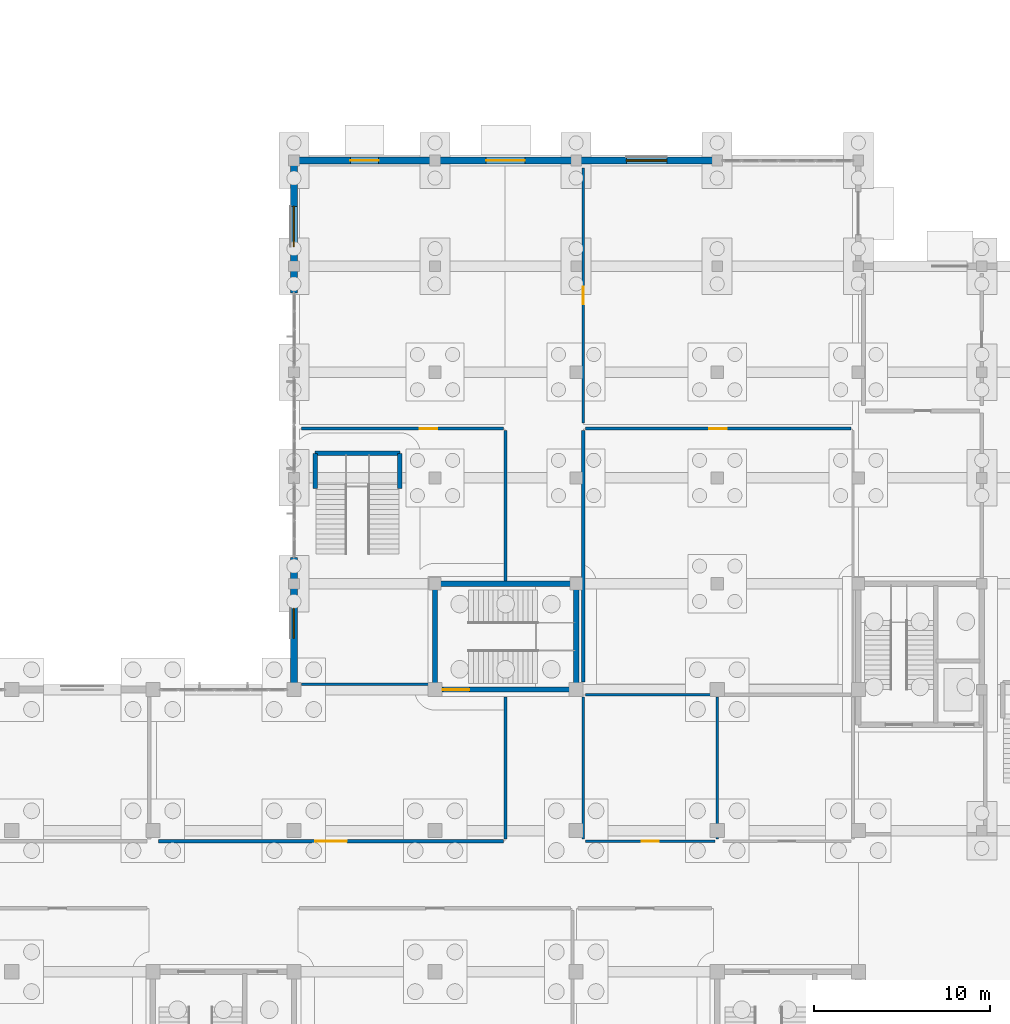
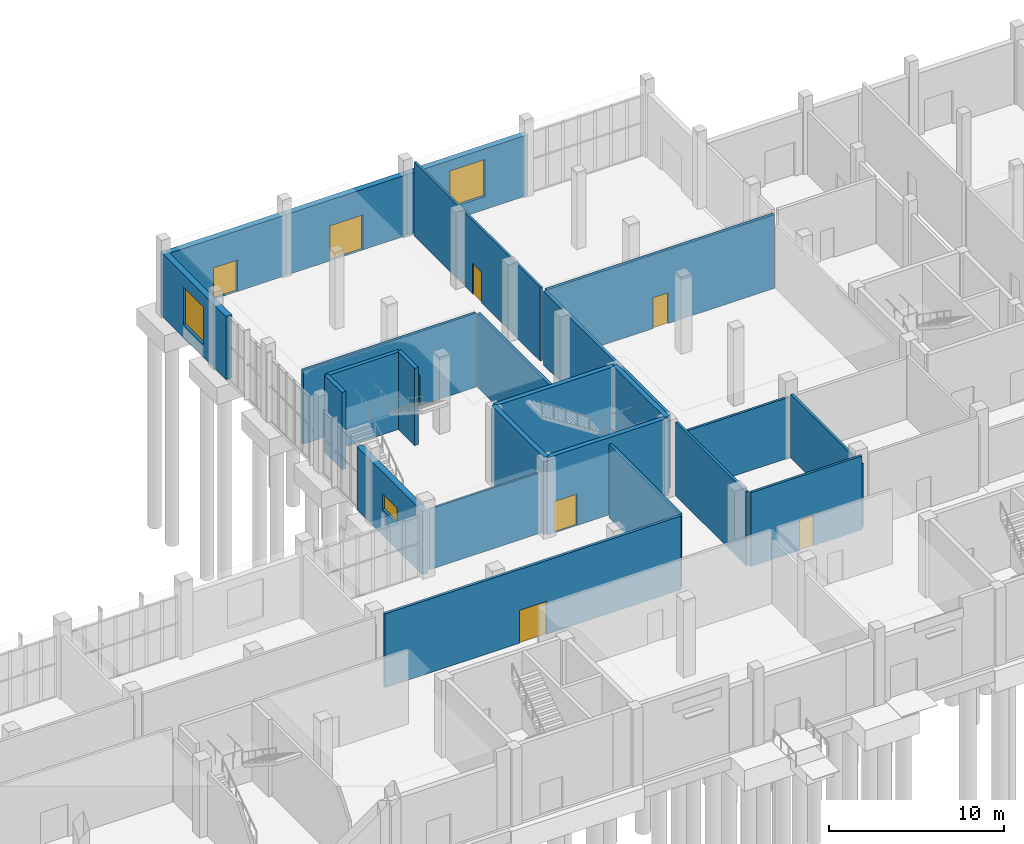
# One storey, part 46 of 69: 24 walls, 8 doors, 3 windows, 11 openings.
"""IFC4 building model written with IfcOpenShell, lengths in metres."""

from ifc_helpers import new_model, si_unit, direction, frame, frame_2d, origin, place, context, subcontext, project, spatial, rectangle, extrude, material, layer, layer_set, type_object, element, fill, save


model = new_model("IFC4")

# Units and contexts
model_context = context("Model", 3, precision=1e-05, world=origin(), true_north=direction((0.0, 1.0)))
body_context = subcontext(model_context, "Body", "Model", "MODEL_VIEW")
ifc_project = project(units=[si_unit("LENGTHUNIT", "METRE"), si_unit("AREAUNIT", "SQUARE_METRE"), si_unit("VOLUMEUNIT", "CUBIC_METRE"), si_unit("PLANEANGLEUNIT", "RADIAN"), si_unit("MASSUNIT", "GRAM", prefix="KILO")], contexts=[model_context])

# Site, building, storey
site_placement = place(None, origin())
site = spatial("IfcSite", under=ifc_project, at=site_placement, CompositionType="ELEMENT")
building_placement = place(site_placement, origin())
building = spatial("IfcBuilding", under=site, at=building_placement, Name="Solvane Community Centre", CompositionType="ELEMENT")
storey_placement = place(building_placement, origin())
storey = spatial("IfcBuildingStorey", under=building, at=storey_placement, Name="L00", CompositionType="ELEMENT", Elevation=0.0)

# Wall
ifc_material_1 = material(Name="Gypsum board partition")
ifc_layer_1 = layer(ifc_material_1, 0.1298828125)
ifc_layer_set_1 = layer_set([ifc_layer_1], Name="Gypsum board partition")
wall_type_1 = type_object("IfcWallType", Name="Acoustic Partition 130mm [74x42dm]", PredefinedType="PARTITIONING", material=ifc_layer_set_1)
wall_1_placement = place(storey_placement, frame((108.419921875, 30.300048828125, 0.0), z_axis=(0.0, 0.0, 1.0), x_axis=(1.0, 0.0, 0.0)))
element("IfcWall", 1, at=wall_1_placement, inside=storey, type_object=wall_type_1, Name="Interior Wall WL-INT-L00-0201", PredefinedType="PARTITIONING", context=body_context, shape_type="SweptSolid", body=[
    extrude(rectangle(XDim=7.420166015625, YDim=0.1298828125, at=frame_2d((3.7099609375, 0.0))), origin(), (0.0, 0.0, 1.0), 4.2451171875),
])

# Wall, opening, door
ifc_layer_2 = layer(ifc_material_1, 0.14990234375)
ifc_layer_set_2 = layer_set([ifc_layer_2], Name="Gypsum board partition")
wall_type_2 = type_object("IfcWallType", Name="Acoustic Partition 150mm [145x52dm]", PredefinedType="PARTITIONING", material=ifc_layer_set_2)
wall_2_placement = place(storey_placement, frame((124.39990234375, 59.580078125, 0.0), z_axis=(0.0, 0.0, 1.0), x_axis=(0.0, -1.0, 0.0)))
wall_2 = element("IfcWall", 2, at=wall_2_placement, inside=storey, type_object=wall_type_2, Name="Interior Wall WL-INT-L00-0207", PredefinedType="PARTITIONING", context=body_context, shape_type="SweptSolid", body=[
    extrude(rectangle(XDim=14.4599609375, YDim=0.14990234375, at=frame_2d((7.22998046875, 0.0))), origin(), (0.0, 0.0, 1.0), 5.159912109375),
])
opening_1_placement = place(wall_2_placement, frame((6.72998046875, 0.0, 0.0)))
opening_1 = element("IfcOpeningElement", 3, at=opening_1_placement, cuts=wall_2, Name="Opening ID01", PredefinedType="OPENING", context=body_context, shape_type="SweptSolid", body=[
    extrude(rectangle(XDim=1.0, YDim=2.14990234375, at=frame_2d((0.5, 1.074951171875))), frame((0.0, 0.0849609375, 0.0), z_axis=(0.0, -1.0, 0.0), x_axis=(1.0, 0.0, 0.0)), (0.0, 0.0, 1.0), 0.169921875),
])
ifc_material_2 = material(Name="Anodised bronze aluminium AW-6063 T6", Category="aluminium")
door_type_1 = type_object("IfcDoorType", Name="Corridor Rated Classroom Door 1000x2150", OperationType="NOTDEFINED", PredefinedType="DOOR", material=ifc_material_2)
door_1_placement = place(opening_1_placement, origin())
door_1 = element("IfcDoor", 4, at=door_1_placement, inside=storey, type_object=door_type_1, Name="L00-D070", OperationType="SINGLE_SWING_RIGHT", OverallHeight=2.14990234375, OverallWidth=1.0, PredefinedType="DOOR", context=body_context, shape_type="SweptSolid", body=[
    extrude(rectangle(XDim=1.0, YDim=2.14990234375, at=frame_2d((0.5, 1.074951171875))), frame((0.0, 0.02490234375, 0.0), z_axis=(0.0, -1.0, 0.0), x_axis=(1.0, 0.0, 0.0)), (0.0, 0.0, 1.0), 0.050048828125),
])
fill(opening_1, door_1)

# Wall
ifc_layer_3 = layer(ifc_material_1, 0.14990234375)
ifc_layer_set_3 = layer_set([ifc_layer_3], Name="Gypsum board partition")
wall_type_3 = type_object("IfcWallType", Name="Acoustic Partition 150mm [74x42dm]", PredefinedType="PARTITIONING", material=ifc_layer_set_3)
wall_3_placement = place(storey_placement, frame((131.8798828125, 29.699951171875, 0.0), z_axis=(0.0, 0.0, 1.0), x_axis=(-1.0, 0.0, 0.0)))
element("IfcWall", 5, at=wall_3_placement, inside=storey, type_object=wall_type_3, Name="Interior Wall WL-INT-L00-0197", PredefinedType="PARTITIONING", context=body_context, shape_type="SweptSolid", body=[
    extrude(rectangle(XDim=7.35986328125, YDim=0.14990234375, at=frame_2d((3.679931640625, 0.0))), origin(), (0.0, 0.0, 1.0), 4.2451171875),
])

# Wall, opening, door
ifc_layer_4 = layer(ifc_material_1, 0.18994140625)
ifc_layer_set_4 = layer_set([ifc_layer_4], Name="Gypsum board partition")
wall_type_4 = type_object("IfcWallType", Name="Acoustic Partition 190mm [151x52dm]", PredefinedType="PARTITIONING", material=ifc_layer_set_4)
wall_4_placement = place(storey_placement, frame((139.580078125, 44.800048828125, 0.0), z_axis=(0.0, 0.0, 1.0), x_axis=(-1.0, 0.0, 0.0)))
wall_4 = element("IfcWall", 6, at=wall_4_placement, inside=storey, type_object=wall_type_4, Name="Interior Wall WL-INT-L00-0204", PredefinedType="PARTITIONING", context=body_context, shape_type="SweptSolid", body=[
    extrude(rectangle(XDim=15.06005859375, YDim=0.18994140625, at=frame_2d((7.530029296875, 0.0))), origin(), (0.0, 0.0, 1.0), 5.159912109375),
])
opening_2_placement = place(wall_4_placement, frame((7.030029296875, 0.0, 0.0)))
opening_2 = element("IfcOpeningElement", 7, at=opening_2_placement, cuts=wall_4, Name="Opening ID01", PredefinedType="OPENING", context=body_context, shape_type="SweptSolid", body=[
    extrude(rectangle(XDim=1.0, YDim=2.14990234375, at=frame_2d((0.5, 1.074951171875))), frame((0.0, 0.10498046875, 0.0), z_axis=(0.0, -1.0, 0.0), x_axis=(1.0, 0.0, 0.0)), (0.0, 0.0, 1.0), 0.2099609375),
])
door_2_placement = place(opening_2_placement, origin())
door_2 = element("IfcDoor", 8, at=door_2_placement, inside=storey, type_object=door_type_1, Name="L00-D069", OperationType="SINGLE_SWING_LEFT", OverallHeight=2.14990234375, OverallWidth=1.0, PredefinedType="DOOR", context=body_context, shape_type="SweptSolid", body=[
    extrude(rectangle(XDim=1.0, YDim=2.14990234375, at=frame_2d((0.5, 1.074951171875))), frame((0.0, 0.02490234375, 0.0), z_axis=(0.0, -1.0, 0.0), x_axis=(1.0, 0.0, 0.0)), (0.0, 0.0, 1.0), 0.050048828125),
])
fill(opening_2, door_2)

# Wall
ifc_layer_5 = layer(ifc_material_1, 0.2099609375)
ifc_layer_set_5 = layer_set([ifc_layer_5], Name="Gypsum board partition")
wall_type_5 = type_object("IfcWallType", Name="Acoustic Partition 210mm [143x52dm]", PredefinedType="PARTITIONING", material=ifc_layer_set_5)
wall_5_placement = place(storey_placement, frame((124.39990234375, 44.679931640625, 0.0), z_axis=(0.0, 0.0, 1.0), x_axis=(0.0, -1.0, 0.0)))
element("IfcWall", 9, at=wall_5_placement, inside=storey, type_object=wall_type_5, Name="Interior Wall WL-INT-L00-0205", PredefinedType="PARTITIONING", context=body_context, shape_type="SweptSolid", body=[
    extrude(rectangle(XDim=14.260009765625, YDim=0.2099609375, at=frame_2d((7.1298828125, 0.0))), origin(), (0.0, 0.0, 1.0), 5.159912109375),
])

# Wall, opening, window
ifc_material_3 = material(Name="Terracotta clay masonry", Category="masonry")
ifc_layer_6 = layer(ifc_material_3, 0.3798828125)
ifc_layer_set_6 = layer_set([ifc_layer_6], Name="Terracotta clay masonry")
wall_type_6 = type_object("IfcWallType", Name="Art Deco Terracotta Plinth Wall 380mm [75x44dm]", PredefinedType="SOLIDWALL", material=ifc_layer_set_6)
wall_6_placement = place(storey_placement, frame((108.0, 30.0, 0.0), z_axis=(0.0, 0.0, 1.0), x_axis=(0.0, 1.0, 0.0)))
wall_6 = element("IfcWall", 10, at=wall_6_placement, inside=storey, type_object=wall_type_6, Name="Exterior Wall WL-EXT-L00-0045", PredefinedType="SOLIDWALL", context=body_context, shape_type="SweptSolid", body=[
    extrude(rectangle(XDim=7.5, YDim=0.3798828125, at=frame_2d((3.75, 0.0))), origin(), (0.0, 0.0, 1.0), 4.425048828125),
])
opening_3_placement = place(wall_6_placement, frame((2.89990234375, 0.0, 1.800048828125)))
opening_3 = element("IfcOpeningElement", 11, at=opening_3_placement, cuts=wall_6, Name="Opening WN17", PredefinedType="OPENING", context=body_context, shape_type="SweptSolid", body=[
    extrude(rectangle(XDim=1.699951171875, YDim=1.10009765625, at=frame_2d((0.85009765625, 0.550048828125))), frame((0.0, 0.199951171875, 0.0), z_axis=(0.0, -1.0, 0.0), x_axis=(1.0, 0.0, 0.0)), (0.0, 0.0, 1.0), 0.39990234375),
])
ifc_material_4 = material(Name="Tempered low-E double glazing", Category="glass")
window_type_1 = type_object("IfcWindowType", Name="Kitchen High Clerestory 1700x1100", PartitioningType="SINGLE_PANEL", PredefinedType="WINDOW", material=ifc_material_4)
window_1_placement = place(opening_3_placement, origin())
window_1 = element("IfcWindow", 12, at=window_1_placement, inside=storey, type_object=window_type_1, Name="L00-W018", OverallHeight=1.10009765625, OverallWidth=1.699951171875, PartitioningType="SINGLE_PANEL", PredefinedType="WINDOW", context=body_context, shape_type="SweptSolid", body=[
    extrude(rectangle(XDim=1.699951171875, YDim=1.10009765625, at=frame_2d((0.85009765625, 0.550048828125))), frame((0.0, 0.030029296875, 0.0), z_axis=(0.0, -1.0, 0.0), x_axis=(1.0, 0.0, 0.0)), (0.0, 0.0, 1.0), 0.06005859375),
])
fill(opening_3, window_1)

wall_7_placement = place(storey_placement, frame((108.0, 52.5, 0.0), z_axis=(0.0, 0.0, 1.0), x_axis=(0.0, 1.0, 0.0)))
wall_7 = element("IfcWall", 13, at=wall_7_placement, inside=storey, type_object=wall_type_6, Name="Exterior Wall WL-EXT-L00-0046", PredefinedType="SOLIDWALL", context=body_context, shape_type="SweptSolid", body=[
    extrude(rectangle(XDim=7.5, YDim=0.3798828125, at=frame_2d((3.75, 0.0))), origin(), (0.0, 0.0, 1.0), 4.425048828125),
])
opening_4_placement = place(wall_7_placement, frame((2.60009765625, 0.0, 0.89990234375)))
opening_4 = element("IfcOpeningElement", 14, at=opening_4_placement, cuts=wall_7, Name="Opening WN12", PredefinedType="OPENING", context=body_context, shape_type="SweptSolid", body=[
    extrude(rectangle(XDim=2.300048828125, YDim=2.60009765625, at=frame_2d((1.14990234375, 1.300048828125))), frame((0.0, 0.199951171875, 0.0), z_axis=(0.0, -1.0, 0.0), x_axis=(1.0, 0.0, 0.0)), (0.0, 0.0, 1.0), 0.39990234375),
])
window_type_2 = type_object("IfcWindowType", Name="Dining Loggia Tall Window 2300x2600", PartitioningType="DOUBLE_PANEL_VERTICAL", PredefinedType="WINDOW", material=ifc_material_4)
window_2_placement = place(opening_4_placement, origin())
window_2 = element("IfcWindow", 15, at=window_2_placement, inside=storey, type_object=window_type_2, Name="L00-W019", OverallHeight=2.60009765625, OverallWidth=2.300048828125, PartitioningType="DOUBLE_PANEL_VERTICAL", PredefinedType="WINDOW", context=body_context, shape_type="SweptSolid", body=[
    extrude(rectangle(XDim=2.300048828125, YDim=2.60009765625, at=frame_2d((1.14990234375, 1.300048828125))), frame((0.0, 0.030029296875, 0.0), z_axis=(0.0, -1.0, 0.0), x_axis=(1.0, 0.0, 0.0)), (0.0, 0.0, 1.0), 0.06005859375),
])
fill(opening_4, window_2)

# Wall, opening, door
ifc_layer_7 = layer(ifc_material_3, 0.3798828125)
ifc_layer_set_7 = layer_set([ifc_layer_7], Name="Terracotta clay masonry")
wall_type_7 = type_object("IfcWallType", Name="Art Deco Terracotta Plinth Wall 380mm [80x42dm]", PredefinedType="SOLIDWALL", material=ifc_layer_set_7)
wall_8_placement = place(storey_placement, frame((108.0, 60.0, 0.0), z_axis=(0.0, 0.0, 1.0), x_axis=(1.0, 0.0, 0.0)))
wall_8 = element("IfcWall", 16, at=wall_8_placement, inside=storey, type_object=wall_type_7, Name="Exterior Wall WL-EXT-L00-0047", PredefinedType="SOLIDWALL", context=body_context, shape_type="SweptSolid", body=[
    extrude(rectangle(XDim=8.0, YDim=0.3798828125, at=frame_2d((4.0, 0.0))), origin(), (0.0, 0.0, 1.0), 4.2451171875),
])
opening_5_placement = place(wall_8_placement, frame((3.199951171875, 0.0, 0.0)))
opening_5 = element("IfcOpeningElement", 17, at=opening_5_placement, cuts=wall_8, Name="Opening D03", PredefinedType="OPENING", context=body_context, shape_type="SweptSolid", body=[
    extrude(rectangle(XDim=1.60009765625, YDim=2.199951171875, at=frame_2d((0.800048828125, 1.10009765625))), frame((0.0, 0.199951171875, 0.0), z_axis=(0.0, -1.0, 0.0), x_axis=(1.0, 0.0, 0.0)), (0.0, 0.0, 1.0), 0.39990234375),
])
door_type_2 = type_object("IfcDoorType", Name="Secondary Courtyard Exit Pair 1600x2200", OperationType="NOTDEFINED", PredefinedType="DOOR", material=ifc_material_2)
door_3_placement = place(opening_5_placement, origin())
door_3 = element("IfcDoor", 18, at=door_3_placement, inside=storey, type_object=door_type_2, Name="L00-ED18", OperationType="DOUBLE_DOOR_SINGLE_SWING", OverallHeight=2.199951171875, OverallWidth=1.60009765625, PredefinedType="DOOR", context=body_context, shape_type="SweptSolid", body=[
    extrude(rectangle(XDim=1.60009765625, YDim=2.199951171875, at=frame_2d((0.800048828125, 1.10009765625))), frame((0.0, 0.02490234375, 0.0), z_axis=(0.0, -1.0, 0.0), x_axis=(1.0, 0.0, 0.0)), (0.0, 0.0, 1.0), 0.050048828125),
])
fill(opening_5, door_3)

wall_9_placement = place(storey_placement, frame((116.0, 60.0, 0.0), z_axis=(0.0, 0.0, 1.0), x_axis=(1.0, 0.0, 0.0)))
wall_9 = element("IfcWall", 19, at=wall_9_placement, inside=storey, type_object=wall_type_7, Name="Exterior Wall WL-EXT-L00-0048", PredefinedType="SOLIDWALL", context=body_context, shape_type="SweptSolid", body=[
    extrude(rectangle(XDim=8.0, YDim=0.3798828125, at=frame_2d((4.0, 0.0))), origin(), (0.0, 0.0, 1.0), 4.2451171875),
])
opening_6_placement = place(wall_9_placement, frame((2.89990234375, 0.0, 0.0)))
opening_6 = element("IfcOpeningElement", 20, at=opening_6_placement, cuts=wall_9, Name="Opening D05", PredefinedType="OPENING", context=body_context, shape_type="SweptSolid", body=[
    extrude(rectangle(XDim=2.199951171875, YDim=2.449951171875, at=frame_2d((1.10009765625, 1.22509765625))), frame((0.0, 0.199951171875, 0.0), z_axis=(0.0, -1.0, 0.0), x_axis=(1.0, 0.0, 0.0)), (0.0, 0.0, 1.0), 0.39990234375),
])
door_type_3 = type_object("IfcDoorType", Name="Boulevard Cafe Entrance Pair 2200x2450", OperationType="NOTDEFINED", PredefinedType="DOOR", material=ifc_material_2)
door_4_placement = place(opening_6_placement, origin())
door_4 = element("IfcDoor", 21, at=door_4_placement, inside=storey, type_object=door_type_3, Name="L00-ED19", OperationType="DOUBLE_DOOR_SINGLE_SWING", OverallHeight=2.449951171875, OverallWidth=2.199951171875, PredefinedType="DOOR", context=body_context, shape_type="SweptSolid", body=[
    extrude(rectangle(XDim=2.199951171875, YDim=2.449951171875, at=frame_2d((1.10009765625, 1.22509765625))), frame((0.0, 0.02490234375, 0.0), z_axis=(0.0, -1.0, 0.0), x_axis=(1.0, 0.0, 0.0)), (0.0, 0.0, 1.0), 0.050048828125),
])
fill(opening_6, door_4)

# Wall, opening, window
wall_10_placement = place(storey_placement, frame((124.0, 60.0, 0.0), z_axis=(0.0, 0.0, 1.0), x_axis=(1.0, 0.0, 0.0)))
wall_10 = element("IfcWall", 22, at=wall_10_placement, inside=storey, type_object=wall_type_7, Name="Exterior Wall WL-EXT-L00-0049", PredefinedType="SOLIDWALL", context=body_context, shape_type="SweptSolid", body=[
    extrude(rectangle(XDim=8.0, YDim=0.3798828125, at=frame_2d((4.0, 0.0))), origin(), (0.0, 0.0, 1.0), 4.2451171875),
])
opening_7_placement = place(wall_10_placement, frame((2.85009765625, 0.0, 0.89990234375)))
opening_7 = element("IfcOpeningElement", 23, at=opening_7_placement, cuts=wall_10, Name="Opening WN12", PredefinedType="OPENING", context=body_context, shape_type="SweptSolid", body=[
    extrude(rectangle(XDim=2.300048828125, YDim=2.60009765625, at=frame_2d((1.14990234375, 1.300048828125))), frame((0.0, 0.199951171875, 0.0), z_axis=(0.0, -1.0, 0.0), x_axis=(1.0, 0.0, 0.0)), (0.0, 0.0, 1.0), 0.39990234375),
])
window_3_placement = place(opening_7_placement, origin())
window_3 = element("IfcWindow", 24, at=window_3_placement, inside=storey, type_object=window_type_2, Name="L00-W020", OverallHeight=2.60009765625, OverallWidth=2.300048828125, PartitioningType="DOUBLE_PANEL_VERTICAL", PredefinedType="WINDOW", context=body_context, shape_type="SweptSolid", body=[
    extrude(rectangle(XDim=2.300048828125, YDim=2.60009765625, at=frame_2d((1.14990234375, 1.300048828125))), frame((0.0, 0.030029296875, 0.0), z_axis=(0.0, -1.0, 0.0), x_axis=(1.0, 0.0, 0.0)), (0.0, 0.0, 1.0), 0.06005859375),
])
fill(opening_7, window_3)

# Wall, opening, door
ifc_layer_8 = layer(ifc_material_1, 0.179931640625)
ifc_layer_set_8 = layer_set([ifc_layer_8], Name="Gypsum board partition")
wall_type_8 = type_object("IfcWallType", Name="Protected Corridor Wall 180mm [115x52dm]", PredefinedType="PARTITIONING", material=ifc_layer_set_8)
wall_11_placement = place(storey_placement, frame((119.8798828125, 44.800048828125, 0.0), z_axis=(0.0, 0.0, 1.0), x_axis=(-1.0, 0.0, 0.0)))
wall_11 = element("IfcWall", 25, at=wall_11_placement, inside=storey, type_object=wall_type_8, Name="Interior Wall WL-INT-L00-0202", PredefinedType="PARTITIONING", context=body_context, shape_type="SweptSolid", body=[
    extrude(rectangle(XDim=11.4599609375, YDim=0.179931640625, at=frame_2d((5.72998046875, 0.0))), origin(), (0.0, 0.0, 1.0), 5.159912109375),
])
opening_8_placement = place(wall_11_placement, frame((3.7509765625, 0.0, 0.0)))
opening_8 = element("IfcOpeningElement", 26, at=opening_8_placement, cuts=wall_11, Name="Opening ID01", PredefinedType="OPENING", context=body_context, shape_type="SweptSolid", body=[
    extrude(rectangle(XDim=1.0, YDim=2.14990234375, at=frame_2d((0.5, 1.074951171875))), frame((0.0, 0.099853515625, 0.0), z_axis=(0.0, -1.0, 0.0), x_axis=(1.0, 0.0, 0.0)), (0.0, 0.0, 1.0), 0.199951171875),
])
door_5_placement = place(opening_8_placement, origin())
door_5 = element("IfcDoor", 27, at=door_5_placement, inside=storey, type_object=door_type_1, Name="L00-D068", OperationType="SINGLE_SWING_RIGHT", OverallHeight=2.14990234375, OverallWidth=1.0, PredefinedType="DOOR", context=body_context, shape_type="SweptSolid", body=[
    extrude(rectangle(XDim=1.0, YDim=2.14990234375, at=frame_2d((0.5, 1.074951171875))), frame((0.0, 0.02490234375, 0.0), z_axis=(0.0, -1.0, 0.0), x_axis=(1.0, 0.0, 0.0)), (0.0, 0.0, 1.0), 0.050048828125),
])
fill(opening_8, door_5)

ifc_layer_9 = layer(ifc_material_1, 0.179931640625)
ifc_layer_set_9 = layer_set([ifc_layer_9], Name="Gypsum board partition")
wall_type_9 = type_object("IfcWallType", Name="Protected Corridor Wall 180mm [196x52dm]", PredefinedType="PARTITIONING", material=ifc_layer_set_9)
wall_12_placement = place(storey_placement, frame((100.320068359375, 21.39990234375, 0.0), z_axis=(0.0, 0.0, 1.0), x_axis=(1.0, 0.0, 0.0)))
wall_12 = element("IfcWall", 28, at=wall_12_placement, inside=storey, type_object=wall_type_9, Name="Interior Wall WL-INT-L00-0192", PredefinedType="PARTITIONING", context=body_context, shape_type="SweptSolid", body=[
    extrude(rectangle(XDim=19.559814453125, YDim=0.179931640625, at=frame_2d((9.77978515625, 0.0))), origin(), (0.0, 0.0, 1.0), 5.159912109375),
])
opening_9_placement = place(wall_12_placement, frame((8.8798828125, 0.0, 0.0)))
opening_9 = element("IfcOpeningElement", 29, at=opening_9_placement, cuts=wall_12, Name="Opening ID02", PredefinedType="OPENING", context=body_context, shape_type="SweptSolid", body=[
    extrude(rectangle(XDim=1.800048828125, YDim=2.300048828125, at=frame_2d((0.89990234375, 1.14990234375))), frame((0.0, 0.099853515625, 0.0), z_axis=(0.0, -1.0, 0.0), x_axis=(1.0, 0.0, 0.0)), (0.0, 0.0, 1.0), 0.199951171875),
])
door_type_4 = type_object("IfcDoorType", Name="Hall Acoustic Double Door 1800x2300", OperationType="NOTDEFINED", PredefinedType="DOOR", material=ifc_material_2)
door_6_placement = place(opening_9_placement, origin())
door_6 = element("IfcDoor", 30, at=door_6_placement, inside=storey, type_object=door_type_4, Name="L00-D065", OperationType="DOUBLE_DOOR_SINGLE_SWING", OverallHeight=2.300048828125, OverallWidth=1.800048828125, PredefinedType="DOOR", context=body_context, shape_type="SweptSolid", body=[
    extrude(rectangle(XDim=1.800048828125, YDim=2.300048828125, at=frame_2d((0.89990234375, 1.14990234375))), frame((0.0, 0.02490234375, 0.0), z_axis=(0.0, -1.0, 0.0), x_axis=(1.0, 0.0, 0.0)), (0.0, 0.0, 1.0), 0.050048828125),
])
fill(opening_9, door_6)

# Walls
ifc_layer_10 = layer(ifc_material_1, 0.179931640625)
ifc_layer_set_10 = layer_set([ifc_layer_10], Name="Gypsum board partition")
wall_type_10 = type_object("IfcWallType", Name="Protected Corridor Wall 180mm [81x52dm]", PredefinedType="PARTITIONING", material=ifc_layer_set_10)
wall_13_placement = place(storey_placement, frame((120.0, 21.52001953125, 0.0), z_axis=(0.0, 0.0, 1.0), x_axis=(0.0, 1.0, 0.0)))
element("IfcWall", 31, at=wall_13_placement, inside=storey, type_object=wall_type_10, Name="Interior Wall WL-INT-L00-0193", PredefinedType="PARTITIONING", context=body_context, shape_type="SweptSolid", body=[
    extrude(rectangle(XDim=8.06005859375, YDim=0.179931640625, at=frame_2d((4.030029296875, 0.0))), origin(), (0.0, 0.0, 1.0), 5.159912109375),
])
ifc_layer_11 = layer(ifc_material_1, 0.179931640625)
ifc_layer_set_11 = layer_set([ifc_layer_11], Name="Gypsum board partition")
wall_type_11 = type_object("IfcWallType", Name="Protected Corridor Wall 180mm [85x52dm]", PredefinedType="PARTITIONING", material=ifc_layer_set_11)
wall_14_placement = place(storey_placement, frame((120.0, 36.159912109375, 0.0), z_axis=(0.0, 0.0, 1.0), x_axis=(0.0, 1.0, 0.0)))
element("IfcWall", 32, at=wall_14_placement, inside=storey, type_object=wall_type_11, Name="Interior Wall WL-INT-L00-0203", PredefinedType="PARTITIONING", context=body_context, shape_type="SweptSolid", body=[
    extrude(rectangle(XDim=8.52001953125, YDim=0.179931640625, at=frame_2d((4.260009765625, 0.0))), origin(), (0.0, 0.0, 1.0), 5.159912109375),
])
ifc_material_5 = material(Name="Concrete C35/45", Category="concrete")
ifc_layer_12 = layer(ifc_material_5, 0.300048828125)
ifc_layer_set_12 = layer_set([ifc_layer_12], Name="Concrete C35/45")
wall_type_12 = type_object("IfcWallType", Name="RC Core Shear Wall 300mm [60x54dm]", PredefinedType="SHEAR", material=ifc_layer_set_12)
for number, where, z_axis, x_axis, name in (
    (33, (116.0, 30.0, 0.0), (0.0, 0.0, 1.0), (0.0, 1.0, 0.0), "Interior Wall WL-INT-L00-0073"),
    (34, (124.0, 36.0, 0.0), (0.0, 0.0, 1.0), (0.0, -1.0, 0.0), "Interior Wall WL-INT-L00-0075"),
):
    element("IfcWall", number, at=place(storey_placement, frame(where, z_axis=z_axis, x_axis=x_axis)), inside=storey, type_object=wall_type_12, Name=name, PredefinedType="SHEAR", context=body_context, shape_type="SweptSolid", body=[
        extrude(rectangle(XDim=6.0, YDim=0.300048828125, at=frame_2d((3.0, 0.0))), origin(), (0.0, 0.0, 1.0), 5.39990234375),
    ])

# Wall, opening, door
ifc_layer_13 = layer(ifc_material_5, 0.300048828125)
ifc_layer_set_13 = layer_set([ifc_layer_13], Name="Concrete C35/45")
wall_type_13 = type_object("IfcWallType", Name="RC Core Shear Wall 300mm [80x54dm]", PredefinedType="SHEAR", material=ifc_layer_set_13)
wall_15_placement = place(storey_placement, frame((124.0, 30.0, 0.0), z_axis=(0.0, 0.0, 1.0), x_axis=(-1.0, 0.0, 0.0)))
wall_15 = element("IfcWall", 35, at=wall_15_placement, inside=storey, type_object=wall_type_13, Name="Interior Wall WL-INT-L00-0072", PredefinedType="SHEAR", context=body_context, shape_type="SweptSolid", body=[
    extrude(rectangle(XDim=8.0, YDim=0.300048828125, at=frame_2d((4.0, 0.0))), origin(), (0.0, 0.0, 1.0), 5.39990234375),
])
opening_10_placement = place(wall_15_placement, frame((6.050048828125, 0.0, 0.0)))
opening_10 = element("IfcOpeningElement", 36, at=opening_10_placement, cuts=wall_15, Name="Opening SD01", PredefinedType="OPENING", context=body_context, shape_type="SweptSolid", body=[
    extrude(rectangle(XDim=1.5, YDim=2.199951171875, at=frame_2d((0.75, 1.10009765625))), frame((0.0, 0.159912109375, 0.0), z_axis=(0.0, -1.0, 0.0), x_axis=(1.0, 0.0, 0.0)), (0.0, 0.0, 1.0), 0.320068359375),
])
door_type_5 = type_object("IfcDoorType", Name="Stair Discharge Fire Pair 1500x2200", OperationType="NOTDEFINED", PredefinedType="DOOR", material=ifc_material_2)
door_7_placement = place(opening_10_placement, origin())
door_7 = element("IfcDoor", 37, at=door_7_placement, inside=storey, type_object=door_type_5, Name="L00-D028", OperationType="DOUBLE_DOOR_SINGLE_SWING", OverallHeight=2.199951171875, OverallWidth=1.5, PredefinedType="DOOR", context=body_context, shape_type="SweptSolid", body=[
    extrude(rectangle(XDim=1.5, YDim=2.199951171875, at=frame_2d((0.75, 1.10009765625))), frame((0.0, 0.02490234375, 0.0), z_axis=(0.0, -1.0, 0.0), x_axis=(1.0, 0.0, 0.0)), (0.0, 0.0, 1.0), 0.050048828125),
])
fill(opening_10, door_7)

# Walls
wall_16_placement = place(storey_placement, frame((116.0, 36.0, 0.0), z_axis=(0.0, 0.0, 1.0), x_axis=(1.0, 0.0, 0.0)))
element("IfcWall", 38, at=wall_16_placement, inside=storey, type_object=wall_type_13, Name="Interior Wall WL-INT-L00-0074", PredefinedType="SHEAR", context=body_context, shape_type="SweptSolid", body=[
    extrude(rectangle(XDim=8.0, YDim=0.300048828125, at=frame_2d((4.0, 0.0))), origin(), (0.0, 0.0, 1.0), 5.39990234375),
])
ifc_layer_14 = layer(ifc_material_5, 0.25)
ifc_layer_set_14 = layer_set([ifc_layer_14], Name="Concrete C35/45")
wall_type_14 = type_object("IfcWallType", Name="RC Lift Shaft Wall 250mm [20x54dm]", PredefinedType="SHEAR", material=ifc_layer_set_14)
for number, where, z_axis, x_axis, name in (
    (39, (109.199951171875, 41.39990234375, 0.0), (0.0, 0.0, 1.0), (0.0, 1.0, 0.0), "Interior Wall WL-INT-L00-0146"),
    (40, (114.0, 43.39990234375, 0.0), (0.0, 0.0, 1.0), (0.0, -1.0, 0.0), "Interior Wall WL-INT-L00-0148"),
):
    element("IfcWall", number, at=place(storey_placement, frame(where, z_axis=z_axis, x_axis=x_axis)), inside=storey, type_object=wall_type_14, Name=name, PredefinedType="SHEAR", context=body_context, shape_type="SweptSolid", body=[
        extrude(rectangle(XDim=2.0, YDim=0.25, at=frame_2d((1.0, 0.0))), origin(), (0.0, 0.0, 1.0), 5.39990234375),
    ])
ifc_layer_15 = layer(ifc_material_5, 0.25)
ifc_layer_set_15 = layer_set([ifc_layer_15], Name="Concrete C35/45")
wall_type_15 = type_object("IfcWallType", Name="RC Lift Shaft Wall 250mm [48x54dm]", PredefinedType="SHEAR", material=ifc_layer_set_15)
wall_17_placement = place(storey_placement, frame((109.199951171875, 43.39990234375, 0.0), z_axis=(0.0, 0.0, 1.0), x_axis=(1.0, 0.0, 0.0)))
element("IfcWall", 41, at=wall_17_placement, inside=storey, type_object=wall_type_15, Name="Interior Wall WL-INT-L00-0147", PredefinedType="SHEAR", context=body_context, shape_type="SweptSolid", body=[
    extrude(rectangle(XDim=4.800048828125, YDim=0.25, at=frame_2d((2.39990234375, 0.0))), origin(), (0.0, 0.0, 1.0), 5.39990234375),
])

# Wall, opening, door
ifc_layer_16 = layer(ifc_material_1, 0.159912109375)
ifc_layer_set_16 = layer_set([ifc_layer_16], Name="Gypsum board partition")
wall_type_16 = type_object("IfcWallType", Name="Sanitary Plumbing Chase Wall 160mm [74x52dm]", PredefinedType="PLUMBINGWALL", material=ifc_layer_set_16)
wall_18_placement = place(storey_placement, frame((124.52001953125, 21.39990234375, 0.0), z_axis=(0.0, 0.0, 1.0), x_axis=(1.0, 0.0, 0.0)))
wall_18 = element("IfcWall", 42, at=wall_18_placement, inside=storey, type_object=wall_type_16, Name="Interior Wall WL-INT-L00-0194", PredefinedType="PLUMBINGWALL", context=body_context, shape_type="SweptSolid", body=[
    extrude(rectangle(XDim=7.35986328125, YDim=0.159912109375, at=frame_2d((3.679931640625, 0.0))), origin(), (0.0, 0.0, 1.0), 5.159912109375),
])
opening_11_placement = place(wall_18_placement, frame((3.205078125, 0.0, 0.0)))
opening_11 = element("IfcOpeningElement", 43, at=opening_11_placement, cuts=wall_18, Name="Opening ID03", PredefinedType="OPENING", context=body_context, shape_type="SweptSolid", body=[
    extrude(rectangle(XDim=0.949951171875, YDim=2.14990234375, at=frame_2d((0.47509765625, 1.074951171875))), frame((0.0, 0.08984375, 0.0), z_axis=(0.0, -1.0, 0.0), x_axis=(1.0, 0.0, 0.0)), (0.0, 0.0, 1.0), 0.179931640625),
])
door_type_6 = type_object("IfcDoorType", Name="Accessible Sanitary Door 950x2150", OperationType="NOTDEFINED", PredefinedType="DOOR", material=ifc_material_2)
door_8_placement = place(opening_11_placement, origin())
door_8 = element("IfcDoor", 44, at=door_8_placement, inside=storey, type_object=door_type_6, Name="L00-D066", OperationType="SINGLE_SWING_RIGHT", OverallHeight=2.14990234375, OverallWidth=0.949951171875, PredefinedType="DOOR", context=body_context, shape_type="SweptSolid", body=[
    extrude(rectangle(XDim=0.949951171875, YDim=2.14990234375, at=frame_2d((0.47509765625, 1.074951171875))), frame((0.0, 0.02490234375, 0.0), z_axis=(0.0, -1.0, 0.0), x_axis=(1.0, 0.0, 0.0)), (0.0, 0.0, 1.0), 0.050048828125),
])
fill(opening_11, door_8)

# Walls
ifc_layer_17 = layer(ifc_material_1, 0.159912109375)
ifc_layer_set_17 = layer_set([ifc_layer_17], Name="Gypsum board partition")
wall_type_17 = type_object("IfcWallType", Name="Sanitary Plumbing Chase Wall 160mm [81x44dm]", PredefinedType="PLUMBINGWALL", material=ifc_layer_set_17)
wall_19_placement = place(storey_placement, frame((132.0, 21.52001953125, 0.0), z_axis=(0.0, 0.0, 1.0), x_axis=(0.0, 1.0, 0.0)))
element("IfcWall", 45, at=wall_19_placement, inside=storey, type_object=wall_type_17, Name="Interior Wall WL-INT-L00-0196", PredefinedType="PLUMBINGWALL", context=body_context, shape_type="SweptSolid", body=[
    extrude(rectangle(XDim=8.06005859375, YDim=0.159912109375, at=frame_2d((4.030029296875, 0.0))), origin(), (0.0, 0.0, 1.0), 4.445068359375),
])
ifc_layer_18 = layer(ifc_material_1, 0.159912109375)
ifc_layer_set_18 = layer_set([ifc_layer_18], Name="Gypsum board partition")
wall_type_18 = type_object("IfcWallType", Name="Sanitary Plumbing Chase Wall 160mm [81x52dm]", PredefinedType="PLUMBINGWALL", material=ifc_layer_set_18)
wall_20_placement = place(storey_placement, frame((124.39990234375, 29.580078125, 0.0), z_axis=(0.0, 0.0, 1.0), x_axis=(0.0, -1.0, 0.0)))
element("IfcWall", 46, at=wall_20_placement, inside=storey, type_object=wall_type_18, Name="Interior Wall WL-INT-L00-0195", PredefinedType="PLUMBINGWALL", context=body_context, shape_type="SweptSolid", body=[
    extrude(rectangle(XDim=8.06005859375, YDim=0.159912109375, at=frame_2d((4.030029296875, 0.0))), origin(), (0.0, 0.0, 1.0), 5.159912109375),
])

save(model, "model.ifc")
